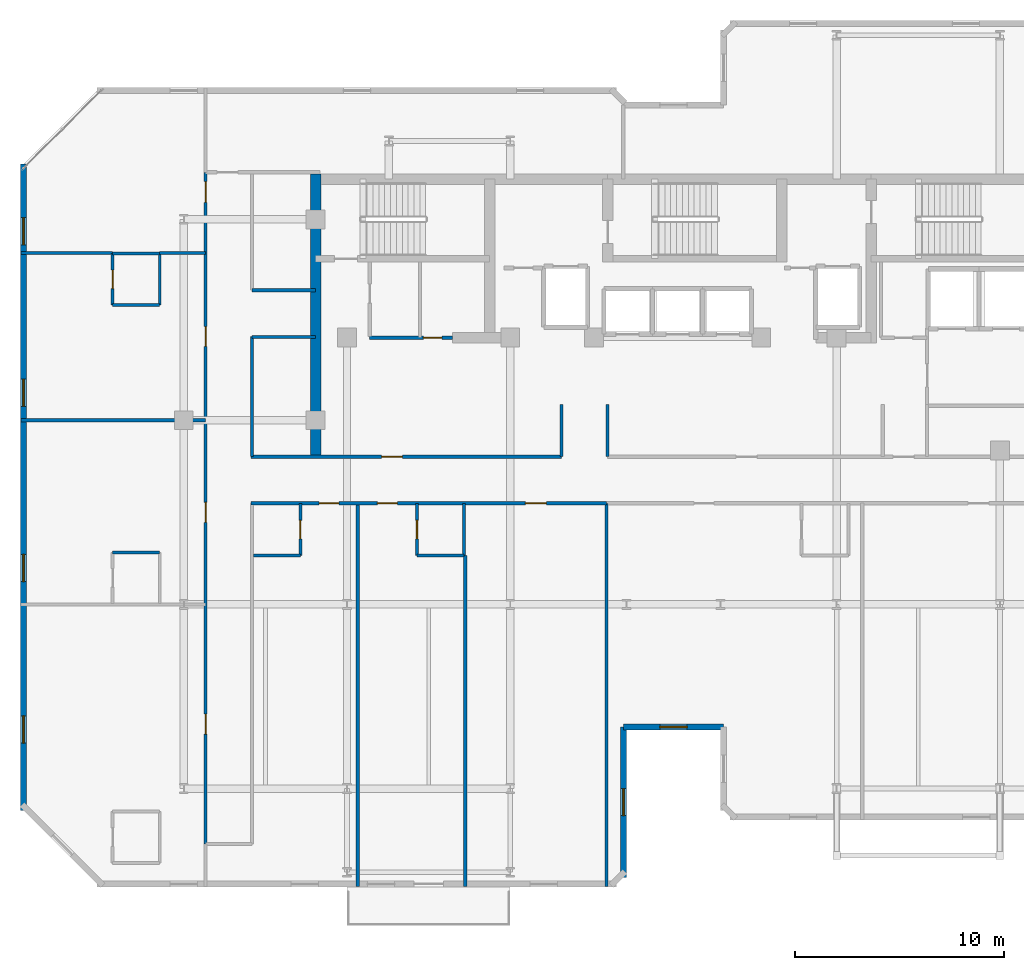
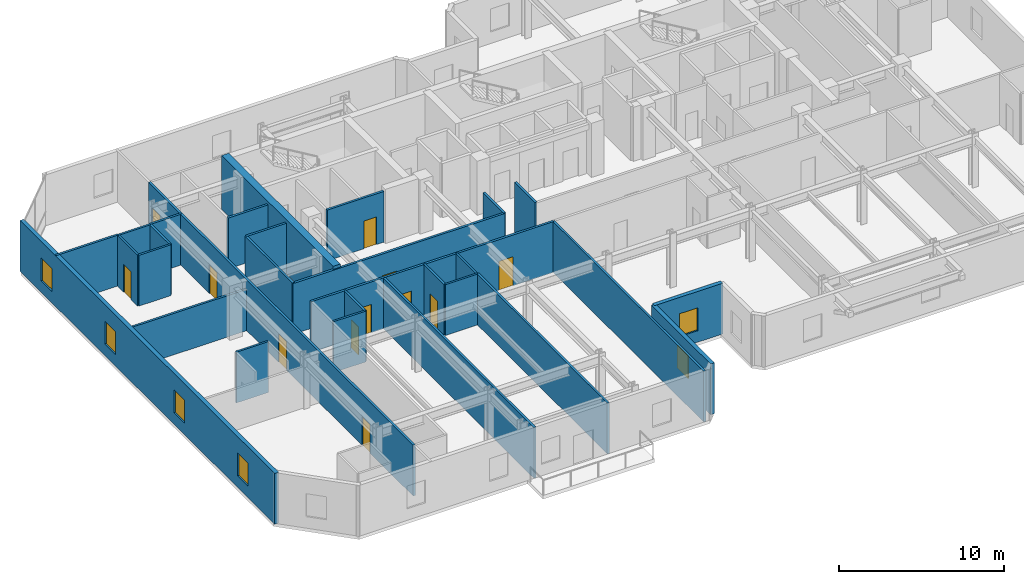
# One storey, part 4 of 10: 29 walls, 12 doors, 6 windows, 18 openings.
"""IFC4 building model written with IfcOpenShell, lengths in metres."""

from ifc_helpers import new_model, si_unit, direction, frame, frame_2d, origin, place, context, subcontext, project, spatial, rectangle, extrude, material, layer, layer_set, type_object, element, fill, save


model = new_model("IFC4")

# Units and contexts
model_context = context("Model", 3, precision=1e-05, world=origin(), true_north=direction((0.0, 1.0)))
body_context = subcontext(model_context, "Body", "Model", "MODEL_VIEW")
ifc_project = project(units=[si_unit("LENGTHUNIT", "METRE"), si_unit("AREAUNIT", "SQUARE_METRE"), si_unit("VOLUMEUNIT", "CUBIC_METRE"), si_unit("PLANEANGLEUNIT", "RADIAN"), si_unit("MASSUNIT", "GRAM", prefix="KILO")], contexts=[model_context])

# Site, building, storey
site_placement = place(None, origin())
site = spatial("IfcSite", under=ifc_project, at=site_placement, CompositionType="ELEMENT")
building_placement = place(site_placement, origin())
building = spatial("IfcBuilding", under=site, at=building_placement, Name="Kestravale Grand Hotel", CompositionType="ELEMENT")
storey_placement = place(building_placement, frame((0.0, 0.0, 281.39990234375)))
storey = spatial("IfcBuildingStorey", under=building, at=storey_placement, Name="L70", CompositionType="ELEMENT", Elevation=281.39990234375)

# Wall
ifc_material_1 = material(Name="Concrete f'c 50 MPa", Category="concrete")
ifc_layer_1 = layer(ifc_material_1, 0.5)
ifc_layer_set_1 = layer_set([ifc_layer_1], Name="EW-CORE-500")
wall_type_1 = type_object("IfcWallType", Name="EW-CORE-500", PredefinedType="SHEAR", material=ifc_layer_set_1)
wall_1_placement = place(storey_placement, frame((21.89990234375, 27.050048828125, 0.0), z_axis=(0.0, 0.0, 1.0), x_axis=(0.0, 1.0, 0.0)))
element("IfcWall", 1, at=wall_1_placement, inside=storey, type_object=wall_type_1, Name="L70 core shear wall W1", PredefinedType="SHEAR", context=body_context, shape_type="SweptSolid", body=[
    extrude(rectangle(XDim=13.52001953125, YDim=0.5, at=frame_2d((6.760009765625, 0.0))), origin(), (0.0, 0.0, 1.0), 4.0),
])

# Wall, opening, window
ifc_material_2 = material(Name="Precast concrete f'c 45 MPa", Category="concrete")
ifc_layer_2 = layer(ifc_material_2, 0.280029296875)
ifc_layer_set_2 = layer_set([ifc_layer_2], Name="EW-PREC-280")
wall_type_2 = type_object("IfcWallType", Name="EW-PREC-280", PredefinedType="SOLIDWALL", material=ifc_layer_set_2)
wall_2_placement = place(storey_placement, frame((36.610107421875, 6.9599609375, 0.0), z_axis=(0.0, 0.0, 1.0), x_axis=(0.0, 1.0, 0.0)))
wall_2 = element("IfcWall", 2, at=wall_2_placement, inside=storey, type_object=wall_type_2, Name="L70 fluted precast facade wall 3", PredefinedType="SOLIDWALL", context=body_context, shape_type="SweptSolid", body=[
    extrude(rectangle(XDim=7.179931640625, YDim=0.280029296875, at=frame_2d((3.58984375, 0.0))), origin(), (0.0, 0.0, 1.0), 3.760009765625),
])
opening_1_placement = place(wall_2_placement, frame((2.93994140625, 0.0, 0.85009765625)))
opening_1 = element("IfcOpeningElement", 3, at=opening_1_placement, cuts=wall_2, Name="Opening W-GUEST-1300", PredefinedType="OPENING", context=body_context, shape_type="SweptSolid", body=[
    extrude(rectangle(XDim=1.300048828125, YDim=1.699951171875, at=frame_2d((0.64990234375, 0.85009765625))), frame((0.0, 0.14990234375, 0.0), z_axis=(0.0, -1.0, 0.0), x_axis=(1.0, 0.0, 0.0)), (0.0, 0.0, 1.0), 0.300048828125),
])
ifc_material_3 = material(Name="Insulated low-E double glazing in aluminium frame", Category="aluminium")
window_type = type_object("IfcWindowType", Name="W-GUEST-1300", PartitioningType="SINGLE_PANEL", PredefinedType="WINDOW", material=ifc_material_3)
window_1_placement = place(opening_1_placement, origin())
window_1 = element("IfcWindow", 4, at=window_1_placement, inside=storey, type_object=window_type, Name="L70 exterior window 3.1", OverallHeight=1.699951171875, OverallWidth=1.300048828125, PartitioningType="SINGLE_PANEL", PredefinedType="WINDOW", context=body_context, shape_type="SweptSolid", body=[
    extrude(rectangle(XDim=1.300048828125, YDim=1.699951171875, at=frame_2d((0.64990234375, 0.85009765625))), frame((0.0, 0.030029296875, 0.0), z_axis=(0.0, -1.0, 0.0), x_axis=(1.0, 0.0, 0.0)), (0.0, 0.0, 1.0), 0.06005859375),
])
fill(opening_1, window_1)

wall_3_placement = place(storey_placement, frame((36.610107421875, 14.139892578125, 0.0), z_axis=(0.0, 0.0, 1.0), x_axis=(1.0, 0.0, 0.0)))
wall_3 = element("IfcWall", 5, at=wall_3_placement, inside=storey, type_object=wall_type_2, Name="L70 fluted precast facade wall 4", PredefinedType="SOLIDWALL", context=body_context, shape_type="SweptSolid", body=[
    extrude(rectangle(XDim=4.77978515625, YDim=0.280029296875, at=frame_2d((2.389892578125, 0.0))), origin(), (0.0, 0.0, 1.0), 3.760009765625),
])
opening_2_placement = place(wall_3_placement, frame((1.739990234375, 0.0, 0.85009765625)))
opening_2 = element("IfcOpeningElement", 6, at=opening_2_placement, cuts=wall_3, Name="Opening W-GUEST-1300", PredefinedType="OPENING", context=body_context, shape_type="SweptSolid", body=[
    extrude(rectangle(XDim=1.300048828125, YDim=1.699951171875, at=frame_2d((0.64990234375, 0.85009765625))), frame((0.0, 0.14990234375, 0.0), z_axis=(0.0, -1.0, 0.0), x_axis=(1.0, 0.0, 0.0)), (0.0, 0.0, 1.0), 0.300048828125),
])
window_2_placement = place(opening_2_placement, origin())
window_2 = element("IfcWindow", 7, at=window_2_placement, inside=storey, type_object=window_type, Name="L70 exterior window 4.1", OverallHeight=1.699951171875, OverallWidth=1.300048828125, PartitioningType="SINGLE_PANEL", PredefinedType="WINDOW", context=body_context, shape_type="SweptSolid", body=[
    extrude(rectangle(XDim=1.300048828125, YDim=1.699951171875, at=frame_2d((0.64990234375, 0.85009765625))), frame((0.0, 0.030029296875, 0.0), z_axis=(0.0, -1.0, 0.0), x_axis=(1.0, 0.0, 0.0)), (0.0, 0.0, 1.0), 0.06005859375),
])
fill(opening_2, window_2)

# Wall, openings, windows
wall_4_placement = place(storey_placement, frame((7.93994140625, 41.0400390625, 0.0), z_axis=(0.0, 0.0, 1.0), x_axis=(0.0, -1.0, 0.0)))
wall_4 = element("IfcWall", 8, at=wall_4_placement, inside=storey, type_object=wall_type_2, Name="L70 fluted precast facade wall 19", PredefinedType="SOLIDWALL", context=body_context, shape_type="SweptSolid", body=[
    extrude(rectangle(XDim=30.880126953125, YDim=0.280029296875, at=frame_2d((15.43994140625, 0.0))), origin(), (0.0, 0.0, 1.0), 3.760009765625),
])
opening_3_placement = place(wall_4_placement, frame((2.56005859375, 0.0, 0.85009765625)))
opening_3 = element("IfcOpeningElement", 9, at=opening_3_placement, cuts=wall_4, Name="Opening W-GUEST-1300", PredefinedType="OPENING", context=body_context, shape_type="SweptSolid", body=[
    extrude(rectangle(XDim=1.300048828125, YDim=1.699951171875, at=frame_2d((0.64990234375, 0.85009765625))), frame((0.0, 0.14990234375, 0.0), z_axis=(0.0, -1.0, 0.0), x_axis=(1.0, 0.0, 0.0)), (0.0, 0.0, 1.0), 0.300048828125),
])
opening_4_placement = place(wall_4_placement, frame((10.280029296875, 0.0, 0.85009765625)))
opening_4 = element("IfcOpeningElement", 10, at=opening_4_placement, cuts=wall_4, Name="Opening W-GUEST-1300", PredefinedType="OPENING", context=body_context, shape_type="SweptSolid", body=[
    extrude(rectangle(XDim=1.300048828125, YDim=1.699951171875, at=frame_2d((0.64990234375, 0.85009765625))), frame((0.0, 0.14990234375, 0.0), z_axis=(0.0, -1.0, 0.0), x_axis=(1.0, 0.0, 0.0)), (0.0, 0.0, 1.0), 0.300048828125),
])
opening_5_placement = place(wall_4_placement, frame((18.64990234375, 0.0, 0.85009765625)))
opening_5 = element("IfcOpeningElement", 11, at=opening_5_placement, cuts=wall_4, Name="Opening W-GUEST-1300", PredefinedType="OPENING", context=body_context, shape_type="SweptSolid", body=[
    extrude(rectangle(XDim=1.300048828125, YDim=1.699951171875, at=frame_2d((0.64990234375, 0.85009765625))), frame((0.0, 0.14990234375, 0.0), z_axis=(0.0, -1.0, 0.0), x_axis=(1.0, 0.0, 0.0)), (0.0, 0.0, 1.0), 0.300048828125),
])
opening_6_placement = place(wall_4_placement, frame((26.3701171875, 0.0, 0.85009765625)))
opening_6 = element("IfcOpeningElement", 12, at=opening_6_placement, cuts=wall_4, Name="Opening W-GUEST-1300", PredefinedType="OPENING", context=body_context, shape_type="SweptSolid", body=[
    extrude(rectangle(XDim=1.300048828125, YDim=1.699951171875, at=frame_2d((0.64990234375, 0.85009765625))), frame((0.0, 0.14990234375, 0.0), z_axis=(0.0, -1.0, 0.0), x_axis=(1.0, 0.0, 0.0)), (0.0, 0.0, 1.0), 0.300048828125),
])
window_3_placement = place(opening_3_placement, origin())
window_3 = element("IfcWindow", 13, at=window_3_placement, inside=storey, type_object=window_type, Name="L70 exterior window 19.1", OverallHeight=1.699951171875, OverallWidth=1.300048828125, PartitioningType="SINGLE_PANEL", PredefinedType="WINDOW", context=body_context, shape_type="SweptSolid", body=[
    extrude(rectangle(XDim=1.300048828125, YDim=1.699951171875, at=frame_2d((0.64990234375, 0.85009765625))), frame((0.0, 0.030029296875, 0.0), z_axis=(0.0, -1.0, 0.0), x_axis=(1.0, 0.0, 0.0)), (0.0, 0.0, 1.0), 0.06005859375),
])
fill(opening_3, window_3)
window_4_placement = place(opening_4_placement, origin())
window_4 = element("IfcWindow", 14, at=window_4_placement, inside=storey, type_object=window_type, Name="L70 exterior window 19.2", OverallHeight=1.699951171875, OverallWidth=1.300048828125, PartitioningType="SINGLE_PANEL", PredefinedType="WINDOW", context=body_context, shape_type="SweptSolid", body=[
    extrude(rectangle(XDim=1.300048828125, YDim=1.699951171875, at=frame_2d((0.64990234375, 0.85009765625))), frame((0.0, 0.030029296875, 0.0), z_axis=(0.0, -1.0, 0.0), x_axis=(1.0, 0.0, 0.0)), (0.0, 0.0, 1.0), 0.06005859375),
])
fill(opening_4, window_4)
window_5_placement = place(opening_5_placement, origin())
window_5 = element("IfcWindow", 15, at=window_5_placement, inside=storey, type_object=window_type, Name="L70 exterior window 19.3", OverallHeight=1.699951171875, OverallWidth=1.300048828125, PartitioningType="SINGLE_PANEL", PredefinedType="WINDOW", context=body_context, shape_type="SweptSolid", body=[
    extrude(rectangle(XDim=1.300048828125, YDim=1.699951171875, at=frame_2d((0.64990234375, 0.85009765625))), frame((0.0, 0.030029296875, 0.0), z_axis=(0.0, -1.0, 0.0), x_axis=(1.0, 0.0, 0.0)), (0.0, 0.0, 1.0), 0.06005859375),
])
fill(opening_5, window_5)
window_6_placement = place(opening_6_placement, origin())
window_6 = element("IfcWindow", 16, at=window_6_placement, inside=storey, type_object=window_type, Name="L70 exterior window 19.4", OverallHeight=1.699951171875, OverallWidth=1.300048828125, PartitioningType="SINGLE_PANEL", PredefinedType="WINDOW", context=body_context, shape_type="SweptSolid", body=[
    extrude(rectangle(XDim=1.300048828125, YDim=1.699951171875, at=frame_2d((0.64990234375, 0.85009765625))), frame((0.0, 0.030029296875, 0.0), z_axis=(0.0, -1.0, 0.0), x_axis=(1.0, 0.0, 0.0)), (0.0, 0.0, 1.0), 0.06005859375),
])
fill(opening_6, window_6)

# Wall, opening, door
ifc_material_4 = material(Name="Acoustic fire-rated gypsum board partition", Category="other")
ifc_layer_3 = layer(ifc_material_4, 0.159912109375)
ifc_layer_set_3 = layer_set([ifc_layer_3], Name="IW-CORR-160")
wall_type_3 = type_object("IfcWallType", Name="IW-CORR-160", PredefinedType="PARTITIONING", material=ifc_layer_set_3)
wall_5_placement = place(storey_placement, frame((24.47998046875, 32.75, 0.0), z_axis=(0.0, 0.0, 1.0), x_axis=(1.0, 0.0, 0.0)))
wall_5 = element("IfcWall", 17, at=wall_5_placement, inside=storey, type_object=wall_type_3, Name="W-L70-CWS", PredefinedType="PARTITIONING", context=body_context, shape_type="SweptSolid", body=[
    extrude(rectangle(XDim=3.969970703125, YDim=0.159912109375, at=frame_2d((1.98486328125, 0.0))), origin(), (0.0, 0.0, 1.0), 3.760009765625),
])
opening_7_placement = place(wall_5_placement, frame((2.574951171875, 0.0, 0.0)))
opening_7 = element("IfcOpeningElement", 18, at=opening_7_placement, cuts=wall_5, Name="Opening D-BATH-880", PredefinedType="OPENING", context=body_context, shape_type="SweptSolid", body=[
    extrude(rectangle(XDim=0.8798828125, YDim=2.050048828125, at=frame_2d((0.43994140625, 1.02490234375))), frame((0.0, 0.08984375, 0.0), z_axis=(0.0, -1.0, 0.0), x_axis=(1.0, 0.0, 0.0)), (0.0, 0.0, 1.0), 0.179931640625),
])
ifc_material_5 = material(Name="Moisture-sealed walnut en-suite bathroom door", Category="wood")
door_type_1 = type_object("IfcDoorType", Name="D-BATH-880", OperationType="NOTDEFINED", PredefinedType="DOOR", material=ifc_material_5)
door_1_placement = place(opening_7_placement, origin())
door_1 = element("IfcDoor", 19, at=door_1_placement, inside=storey, type_object=door_type_1, Name="D-L70-SWC", OperationType="SINGLE_SWING_RIGHT", OverallHeight=2.050048828125, OverallWidth=0.8798828125, PredefinedType="DOOR", context=body_context, shape_type="SweptSolid", body=[
    extrude(rectangle(XDim=0.8798828125, YDim=2.050048828125, at=frame_2d((0.43994140625, 1.02490234375))), frame((0.0, 0.02490234375, 0.0), z_axis=(0.0, -1.0, 0.0), x_axis=(1.0, 0.0, 0.0)), (0.0, 0.0, 1.0), 0.050048828125),
])
fill(opening_7, door_1)

wall_6_placement = place(storey_placement, frame((18.800048828125, 27.06005859375, 0.0), z_axis=(0.0, 0.0, 1.0), x_axis=(1.0, 0.0, 0.0)))
wall_6 = element("IfcWall", 20, at=wall_6_placement, inside=storey, type_object=wall_type_3, Name="W-L70-CW-N", PredefinedType="PARTITIONING", context=body_context, shape_type="SweptSolid", body=[
    extrude(rectangle(XDim=14.849853515625, YDim=0.159912109375, at=frame_2d((7.4248046875, 0.0))), origin(), (0.0, 0.0, 1.0), 3.760009765625),
])
opening_8_placement = place(wall_6_placement, frame((6.25, 0.0, 0.0)))
opening_8 = element("IfcOpeningElement", 21, at=opening_8_placement, cuts=wall_6, Name="Opening D-GUEST-1000", PredefinedType="OPENING", context=body_context, shape_type="SweptSolid", body=[
    extrude(rectangle(XDim=1.0, YDim=2.14990234375, at=frame_2d((0.5, 1.074951171875))), frame((0.0, 0.08984375, 0.0), z_axis=(0.0, -1.0, 0.0), x_axis=(1.0, 0.0, 0.0)), (0.0, 0.0, 1.0), 0.179931640625),
])
ifc_material_6 = material(Name="Accessible walnut veneer hotel entrance fire door", Category="wood")
door_type_2 = type_object("IfcDoorType", Name="D-GUEST-1000", OperationType="NOTDEFINED", PredefinedType="DOOR", material=ifc_material_6)
door_2_placement = place(opening_8_placement, origin())
door_2 = element("IfcDoor", 22, at=door_2_placement, inside=storey, type_object=door_type_2, Name="D-L70-RECL-W", OperationType="SINGLE_SWING_LEFT", OverallHeight=2.14990234375, OverallWidth=1.0, PredefinedType="DOOR", context=body_context, shape_type="SweptSolid", body=[
    extrude(rectangle(XDim=1.0, YDim=2.14990234375, at=frame_2d((0.5, 1.074951171875))), frame((0.0, 0.02490234375, 0.0), z_axis=(0.0, -1.0, 0.0), x_axis=(1.0, 0.0, 0.0)), (0.0, 0.0, 1.0), 0.050048828125),
])
fill(opening_8, door_2)

# Walls
for number, where, z_axis, x_axis, name in (
    (23, (33.64990234375, 27.06005859375, 0.0), (0.0, 0.0, 1.0), (0.0, 1.0, 0.0), "W-L70-TRUNK-W"),
    (24, (35.85009765625, 27.06005859375, 0.0), (0.0, 0.0, 1.0), (0.0, 1.0, 0.0), "W-L70-TRUNK-E"),
):
    element("IfcWall", number, at=place(storey_placement, frame(where, z_axis=z_axis, x_axis=x_axis)), inside=storey, type_object=wall_type_3, Name=name, PredefinedType="PARTITIONING", context=body_context, shape_type="SweptSolid", body=[
        extrude(rectangle(XDim=2.489990234375, YDim=0.159912109375, at=frame_2d((1.2451171875, 0.0))), origin(), (0.0, 0.0, 1.0), 3.760009765625),
    ])

# Wall, openings, doors
wall_7_placement = place(storey_placement, frame((18.800048828125, 24.840087890625, 0.0), z_axis=(0.0, 0.0, 1.0), x_axis=(1.0, 0.0, 0.0)))
wall_7 = element("IfcWall", 25, at=wall_7_placement, inside=storey, type_object=wall_type_3, Name="W-L70-CW-S", PredefinedType="PARTITIONING", context=body_context, shape_type="SweptSolid", body=[
    extrude(rectangle(XDim=17.0, YDim=0.159912109375, at=frame_2d((8.5, 0.0))), origin(), (0.0, 0.0, 1.0), 3.760009765625),
])
opening_9_placement = place(wall_7_placement, frame((3.264892578125, 0.0, 0.0)))
opening_9 = element("IfcOpeningElement", 26, at=opening_9_placement, cuts=wall_7, Name="Opening D-GUEST-950", PredefinedType="OPENING", context=body_context, shape_type="SweptSolid", body=[
    extrude(rectangle(XDim=0.949951171875, YDim=2.10009765625, at=frame_2d((0.47509765625, 1.050048828125))), frame((0.0, 0.08984375, 0.0), z_axis=(0.0, -1.0, 0.0), x_axis=(1.0, 0.0, 0.0)), (0.0, 0.0, 1.0), 0.179931640625),
])
opening_10_placement = place(wall_7_placement, frame((6.0517578125, 0.0, 0.0)))
opening_10 = element("IfcOpeningElement", 27, at=opening_10_placement, cuts=wall_7, Name="Opening D-GUEST-950", PredefinedType="OPENING", context=body_context, shape_type="SweptSolid", body=[
    extrude(rectangle(XDim=0.949951171875, YDim=2.10009765625, at=frame_2d((0.47509765625, 1.050048828125))), frame((0.0, 0.08984375, 0.0), z_axis=(0.0, -1.0, 0.0), x_axis=(1.0, 0.0, 0.0)), (0.0, 0.0, 1.0), 0.179931640625),
])
opening_11_placement = place(wall_7_placement, frame((13.126708984375, 0.0, 0.0)))
opening_11 = element("IfcOpeningElement", 28, at=opening_11_placement, cuts=wall_7, Name="Opening D-GUEST-1000", PredefinedType="OPENING", context=body_context, shape_type="SweptSolid", body=[
    extrude(rectangle(XDim=1.0, YDim=2.14990234375, at=frame_2d((0.5, 1.074951171875))), frame((0.0, 0.08984375, 0.0), z_axis=(0.0, -1.0, 0.0), x_axis=(1.0, 0.0, 0.0)), (0.0, 0.0, 1.0), 0.179931640625),
])
door_3_placement = place(opening_11_placement, origin())
door_3 = element("IfcDoor", 29, at=door_3_placement, inside=storey, type_object=door_type_2, Name="D-L70-AMW", OperationType="SINGLE_SWING_RIGHT", OverallHeight=2.14990234375, OverallWidth=1.0, PredefinedType="DOOR", context=body_context, shape_type="SweptSolid", body=[
    extrude(rectangle(XDim=1.0, YDim=2.14990234375, at=frame_2d((0.5, 1.074951171875))), frame((0.0, 0.02490234375, 0.0), z_axis=(0.0, -1.0, 0.0), x_axis=(1.0, 0.0, 0.0)), (0.0, 0.0, 1.0), 0.050048828125),
])
fill(opening_11, door_3)
ifc_material_7 = material(Name="Walnut veneer hotel guestroom entrance fire door", Category="wood")
door_type_3 = type_object("IfcDoorType", Name="D-GUEST-950", OperationType="NOTDEFINED", PredefinedType="DOOR", material=ifc_material_7)
door_4_placement = place(opening_9_placement, origin())
door_4 = element("IfcDoor", 30, at=door_4_placement, inside=storey, type_object=door_type_3, Name="D-L70-U01-ENT", OperationType="SINGLE_SWING_LEFT", OverallHeight=2.10009765625, OverallWidth=0.949951171875, PredefinedType="DOOR", context=body_context, shape_type="SweptSolid", body=[
    extrude(rectangle(XDim=0.949951171875, YDim=2.10009765625, at=frame_2d((0.47509765625, 1.050048828125))), frame((0.0, 0.02490234375, 0.0), z_axis=(0.0, -1.0, 0.0), x_axis=(1.0, 0.0, 0.0)), (0.0, 0.0, 1.0), 0.050048828125),
])
fill(opening_9, door_4)
door_5_placement = place(opening_10_placement, origin())
door_5 = element("IfcDoor", 31, at=door_5_placement, inside=storey, type_object=door_type_3, Name="D-L70-U02-ENT", OperationType="SINGLE_SWING_LEFT", OverallHeight=2.10009765625, OverallWidth=0.949951171875, PredefinedType="DOOR", context=body_context, shape_type="SweptSolid", body=[
    extrude(rectangle(XDim=0.949951171875, YDim=2.10009765625, at=frame_2d((0.47509765625, 1.050048828125))), frame((0.0, 0.02490234375, 0.0), z_axis=(0.0, -1.0, 0.0), x_axis=(1.0, 0.0, 0.0)), (0.0, 0.0, 1.0), 0.050048828125),
])
fill(opening_10, door_5)

wall_8_placement = place(storey_placement, frame((16.639892578125, 8.550048828125, 0.0), z_axis=(0.0, 0.0, 1.0), x_axis=(0.0, 1.0, 0.0)))
wall_8 = element("IfcWall", 32, at=wall_8_placement, inside=storey, type_object=wall_type_3, Name="W-L70-SW-W", PredefinedType="PARTITIONING", context=body_context, shape_type="SweptSolid", body=[
    extrude(rectangle(XDim=32.099853515625, YDim=0.159912109375, at=frame_2d((16.0498046875, 0.0))), origin(), (0.0, 0.0, 1.0), 3.760009765625),
])
opening_12_placement = place(wall_8_placement, frame((5.25, 0.0, 0.0)))
opening_12 = element("IfcOpeningElement", 33, at=opening_12_placement, cuts=wall_8, Name="Opening D-GUEST-950", PredefinedType="OPENING", context=body_context, shape_type="SweptSolid", body=[
    extrude(rectangle(XDim=0.949951171875, YDim=2.10009765625, at=frame_2d((0.47509765625, 1.050048828125))), frame((0.0, 0.08984375, 0.0), z_axis=(0.0, -1.0, 0.0), x_axis=(1.0, 0.0, 0.0)), (0.0, 0.0, 1.0), 0.179931640625),
])
opening_13_placement = place(wall_8_placement, frame((15.375, 0.0, 0.0)))
opening_13 = element("IfcOpeningElement", 34, at=opening_13_placement, cuts=wall_8, Name="Opening D-GUEST-950", PredefinedType="OPENING", context=body_context, shape_type="SweptSolid", body=[
    extrude(rectangle(XDim=0.949951171875, YDim=2.10009765625, at=frame_2d((0.47509765625, 1.050048828125))), frame((0.0, 0.08984375, 0.0), z_axis=(0.0, -1.0, 0.0), x_axis=(1.0, 0.0, 0.0)), (0.0, 0.0, 1.0), 0.179931640625),
])
opening_14_placement = place(wall_8_placement, frame((23.77490234375, 0.0, 0.0)))
opening_14 = element("IfcOpeningElement", 35, at=opening_14_placement, cuts=wall_8, Name="Opening D-GUEST-950", PredefinedType="OPENING", context=body_context, shape_type="SweptSolid", body=[
    extrude(rectangle(XDim=0.949951171875, YDim=2.10009765625, at=frame_2d((0.47509765625, 1.050048828125))), frame((0.0, 0.08984375, 0.0), z_axis=(0.0, -1.0, 0.0), x_axis=(1.0, 0.0, 0.0)), (0.0, 0.0, 1.0), 0.179931640625),
])
opening_15_placement = place(wall_8_placement, frame((30.659912109375, 0.0, 0.0)))
opening_15 = element("IfcOpeningElement", 36, at=opening_15_placement, cuts=wall_8, Name="Opening D-GUEST-1000", PredefinedType="OPENING", context=body_context, shape_type="SweptSolid", body=[
    extrude(rectangle(XDim=1.0, YDim=2.14990234375, at=frame_2d((0.5, 1.074951171875))), frame((0.0, 0.08984375, 0.0), z_axis=(0.0, -1.0, 0.0), x_axis=(1.0, 0.0, 0.0)), (0.0, 0.0, 1.0), 0.179931640625),
])
door_6_placement = place(opening_15_placement, origin())
door_6 = element("IfcDoor", 37, at=door_6_placement, inside=storey, type_object=door_type_2, Name="D-L70-AMWW", OperationType="SINGLE_SWING_RIGHT", OverallHeight=2.14990234375, OverallWidth=1.0, PredefinedType="DOOR", context=body_context, shape_type="SweptSolid", body=[
    extrude(rectangle(XDim=1.0, YDim=2.14990234375, at=frame_2d((0.5, 1.074951171875))), frame((0.0, 0.02490234375, 0.0), z_axis=(0.0, -1.0, 0.0), x_axis=(1.0, 0.0, 0.0)), (0.0, 0.0, 1.0), 0.050048828125),
])
fill(opening_15, door_6)
door_7_placement = place(opening_12_placement, origin())
door_7 = element("IfcDoor", 38, at=door_7_placement, inside=storey, type_object=door_type_3, Name="D-L70-U04-ENT", OperationType="SINGLE_SWING_LEFT", OverallHeight=2.10009765625, OverallWidth=0.949951171875, PredefinedType="DOOR", context=body_context, shape_type="SweptSolid", body=[
    extrude(rectangle(XDim=0.949951171875, YDim=2.10009765625, at=frame_2d((0.47509765625, 1.050048828125))), frame((0.0, 0.02490234375, 0.0), z_axis=(0.0, -1.0, 0.0), x_axis=(1.0, 0.0, 0.0)), (0.0, 0.0, 1.0), 0.050048828125),
])
fill(opening_12, door_7)
door_8_placement = place(opening_13_placement, origin())
door_8 = element("IfcDoor", 39, at=door_8_placement, inside=storey, type_object=door_type_3, Name="D-L70-U05-ENT", OperationType="SINGLE_SWING_LEFT", OverallHeight=2.10009765625, OverallWidth=0.949951171875, PredefinedType="DOOR", context=body_context, shape_type="SweptSolid", body=[
    extrude(rectangle(XDim=0.949951171875, YDim=2.10009765625, at=frame_2d((0.47509765625, 1.050048828125))), frame((0.0, 0.02490234375, 0.0), z_axis=(0.0, -1.0, 0.0), x_axis=(1.0, 0.0, 0.0)), (0.0, 0.0, 1.0), 0.050048828125),
])
fill(opening_13, door_8)
door_9_placement = place(opening_14_placement, origin())
door_9 = element("IfcDoor", 40, at=door_9_placement, inside=storey, type_object=door_type_3, Name="D-L70-U06-ENT", OperationType="SINGLE_SWING_LEFT", OverallHeight=2.10009765625, OverallWidth=0.949951171875, PredefinedType="DOOR", context=body_context, shape_type="SweptSolid", body=[
    extrude(rectangle(XDim=0.949951171875, YDim=2.10009765625, at=frame_2d((0.47509765625, 1.050048828125))), frame((0.0, 0.02490234375, 0.0), z_axis=(0.0, -1.0, 0.0), x_axis=(1.0, 0.0, 0.0)), (0.0, 0.0, 1.0), 0.050048828125),
])
fill(opening_14, door_9)

# Walls
for number, where, z_axis, x_axis, name in (
    (41, (18.860107421875, 35.02001953125, 0.0), (0.0, 0.0, 1.0), (1.0, 0.0, 0.0), "W-L70-SW-CN"),
    (42, (18.860107421875, 32.780029296875, 0.0), (0.0, 0.0, 1.0), (1.0, 0.0, 0.0), "W-L70-SW-CS"),
):
    element("IfcWall", number, at=place(storey_placement, frame(where, z_axis=z_axis, x_axis=x_axis)), inside=storey, type_object=wall_type_3, Name=name, PredefinedType="PARTITIONING", context=body_context, shape_type="SweptSolid", body=[
        extrude(rectangle(XDim=3.039794921875, YDim=0.159912109375, at=frame_2d((1.52001953125, 0.0))), origin(), (0.0, 0.0, 1.0), 3.760009765625),
    ])

# Wall, opening, door
ifc_material_8 = material(Name="Moisture-resistant tile-backer plumbing chase wall", Category="other")
ifc_layer_4 = layer(ifc_material_8, 0.139892578125)
ifc_layer_set_4 = layer_set([ifc_layer_4], Name="IW-PLB-140")
wall_type_4 = type_object("IfcWallType", Name="IW-PLB-140", PredefinedType="PLUMBINGWALL", material=ifc_layer_set_4)
wall_9_placement = place(storey_placement, frame((21.169921875, 22.330078125, 0.0), z_axis=(0.0, 0.0, 1.0), x_axis=(0.0, 1.0, 0.0)))
wall_9 = element("IfcWall", 43, at=wall_9_placement, inside=storey, type_object=wall_type_4, Name="W-L70-U01-BE", PredefinedType="PLUMBINGWALL", context=body_context, shape_type="SweptSolid", body=[
    extrude(rectangle(XDim=2.489990234375, YDim=0.139892578125, at=frame_2d((1.2451171875, 0.0))), origin(), (0.0, 0.0, 1.0), 3.760009765625),
])
opening_16_placement = place(wall_9_placement, frame((0.804931640625, 0.0, 0.0)))
opening_16 = element("IfcOpeningElement", 44, at=opening_16_placement, cuts=wall_9, Name="Opening D-BATH-880", PredefinedType="OPENING", context=body_context, shape_type="SweptSolid", body=[
    extrude(rectangle(XDim=0.8798828125, YDim=2.050048828125, at=frame_2d((0.43994140625, 1.02490234375))), frame((0.0, 0.079833984375, 0.0), z_axis=(0.0, -1.0, 0.0), x_axis=(1.0, 0.0, 0.0)), (0.0, 0.0, 1.0), 0.159912109375),
])
door_10_placement = place(opening_16_placement, origin())
door_10 = element("IfcDoor", 45, at=door_10_placement, inside=storey, type_object=door_type_1, Name="D-L70-U01-BATH", OperationType="SINGLE_SWING_RIGHT", OverallHeight=2.050048828125, OverallWidth=0.8798828125, PredefinedType="DOOR", context=body_context, shape_type="SweptSolid", body=[
    extrude(rectangle(XDim=0.8798828125, YDim=2.050048828125, at=frame_2d((0.43994140625, 1.02490234375))), frame((0.0, 0.02490234375, 0.0), z_axis=(0.0, -1.0, 0.0), x_axis=(1.0, 0.0, 0.0)), (0.0, 0.0, 1.0), 0.050048828125),
])
fill(opening_16, door_10)

# Wall
wall_10_placement = place(storey_placement, frame((18.919921875, 22.330078125, 0.0), z_axis=(0.0, 0.0, 1.0), x_axis=(1.0, 0.0, 0.0)))
element("IfcWall", 46, at=wall_10_placement, inside=storey, type_object=wall_type_4, Name="W-L70-U01-BS", PredefinedType="PLUMBINGWALL", context=body_context, shape_type="SweptSolid", body=[
    extrude(rectangle(XDim=2.25, YDim=0.139892578125, at=frame_2d((1.125, 0.0))), origin(), (0.0, 0.0, 1.0), 3.760009765625),
])

# Wall, opening, door
wall_11_placement = place(storey_placement, frame((26.743408203125, 22.330078125, 0.0), z_axis=(0.0, 0.0, 1.0), x_axis=(0.0, 1.0, 0.0)))
wall_11 = element("IfcWall", 47, at=wall_11_placement, inside=storey, type_object=wall_type_4, Name="W-L70-U02-BW", PredefinedType="PLUMBINGWALL", context=body_context, shape_type="SweptSolid", body=[
    extrude(rectangle(XDim=2.489990234375, YDim=0.139892578125, at=frame_2d((1.2451171875, 0.0))), origin(), (0.0, 0.0, 1.0), 3.760009765625),
])
opening_17_placement = place(wall_11_placement, frame((0.804931640625, 0.0, 0.0)))
opening_17 = element("IfcOpeningElement", 48, at=opening_17_placement, cuts=wall_11, Name="Opening D-BATH-880", PredefinedType="OPENING", context=body_context, shape_type="SweptSolid", body=[
    extrude(rectangle(XDim=0.8798828125, YDim=2.050048828125, at=frame_2d((0.43994140625, 1.02490234375))), frame((0.0, 0.079833984375, 0.0), z_axis=(0.0, -1.0, 0.0), x_axis=(1.0, 0.0, 0.0)), (0.0, 0.0, 1.0), 0.159912109375),
])
door_11_placement = place(opening_17_placement, origin())
door_11 = element("IfcDoor", 49, at=door_11_placement, inside=storey, type_object=door_type_1, Name="D-L70-U02-BATH", OperationType="SINGLE_SWING_RIGHT", OverallHeight=2.050048828125, OverallWidth=0.8798828125, PredefinedType="DOOR", context=body_context, shape_type="SweptSolid", body=[
    extrude(rectangle(XDim=0.8798828125, YDim=2.050048828125, at=frame_2d((0.43994140625, 1.02490234375))), frame((0.0, 0.02490234375, 0.0), z_axis=(0.0, -1.0, 0.0), x_axis=(1.0, 0.0, 0.0)), (0.0, 0.0, 1.0), 0.050048828125),
])
fill(opening_17, door_11)

# Walls
wall_12_placement = place(storey_placement, frame((28.993408203125, 22.330078125, 0.0), z_axis=(0.0, 0.0, 1.0), x_axis=(0.0, 1.0, 0.0)))
element("IfcWall", 50, at=wall_12_placement, inside=storey, type_object=wall_type_4, Name="W-L70-U02-BE", PredefinedType="PLUMBINGWALL", context=body_context, shape_type="SweptSolid", body=[
    extrude(rectangle(XDim=2.489990234375, YDim=0.139892578125, at=frame_2d((1.2451171875, 0.0))), origin(), (0.0, 0.0, 1.0), 3.760009765625),
])
for number, where, z_axis, x_axis, name in (
    (51, (26.743408203125, 22.330078125, 0.0), (0.0, 0.0, 1.0), (1.0, 0.0, 0.0), "W-L70-U02-BS"),
    (52, (12.199951171875, 22.489990234375, 0.0), (0.0, 0.0, 1.0), (1.0, 0.0, 0.0), "W-L70-U05-BN"),
):
    element("IfcWall", number, at=place(storey_placement, frame(where, z_axis=z_axis, x_axis=x_axis)), inside=storey, type_object=wall_type_4, Name=name, PredefinedType="PLUMBINGWALL", context=body_context, shape_type="SweptSolid", body=[
        extrude(rectangle(XDim=2.25, YDim=0.139892578125, at=frame_2d((1.125, 0.0))), origin(), (0.0, 0.0, 1.0), 3.760009765625),
    ])

# Wall, opening, door
wall_13_placement = place(storey_placement, frame((12.199951171875, 34.31005859375, 0.0), z_axis=(0.0, 0.0, 1.0), x_axis=(0.0, 1.0, 0.0)))
wall_13 = element("IfcWall", 53, at=wall_13_placement, inside=storey, type_object=wall_type_4, Name="W-L70-U06-BW", PredefinedType="PLUMBINGWALL", context=body_context, shape_type="SweptSolid", body=[
    extrude(rectangle(XDim=2.449951171875, YDim=0.139892578125, at=frame_2d((1.22509765625, 0.0))), origin(), (0.0, 0.0, 1.0), 3.760009765625),
])
opening_18_placement = place(wall_13_placement, frame((0.784912109375, 0.0, 0.0)))
opening_18 = element("IfcOpeningElement", 54, at=opening_18_placement, cuts=wall_13, Name="Opening D-BATH-880", PredefinedType="OPENING", context=body_context, shape_type="SweptSolid", body=[
    extrude(rectangle(XDim=0.8798828125, YDim=2.050048828125, at=frame_2d((0.43994140625, 1.02490234375))), frame((0.0, 0.079833984375, 0.0), z_axis=(0.0, -1.0, 0.0), x_axis=(1.0, 0.0, 0.0)), (0.0, 0.0, 1.0), 0.159912109375),
])
door_12_placement = place(opening_18_placement, origin())
door_12 = element("IfcDoor", 55, at=door_12_placement, inside=storey, type_object=door_type_1, Name="D-L70-U06-BATH", OperationType="SINGLE_SWING_RIGHT", OverallHeight=2.050048828125, OverallWidth=0.8798828125, PredefinedType="DOOR", context=body_context, shape_type="SweptSolid", body=[
    extrude(rectangle(XDim=0.8798828125, YDim=2.050048828125, at=frame_2d((0.43994140625, 1.02490234375))), frame((0.0, 0.02490234375, 0.0), z_axis=(0.0, -1.0, 0.0), x_axis=(1.0, 0.0, 0.0)), (0.0, 0.0, 1.0), 0.050048828125),
])
fill(opening_18, door_12)

# Walls
wall_14_placement = place(storey_placement, frame((14.449951171875, 34.31005859375, 0.0), z_axis=(0.0, 0.0, 1.0), x_axis=(0.0, 1.0, 0.0)))
element("IfcWall", 56, at=wall_14_placement, inside=storey, type_object=wall_type_4, Name="W-L70-U06-BE", PredefinedType="PLUMBINGWALL", context=body_context, shape_type="SweptSolid", body=[
    extrude(rectangle(XDim=2.449951171875, YDim=0.139892578125, at=frame_2d((1.22509765625, 0.0))), origin(), (0.0, 0.0, 1.0), 3.760009765625),
])
for number, where, z_axis, x_axis, name in (
    (57, (12.199951171875, 34.31005859375, 0.0), (0.0, 0.0, 1.0), (1.0, 0.0, 0.0), "W-L70-U06-BS"),
    (58, (12.199951171875, 36.760009765625, 0.0), (0.0, 0.0, 1.0), (1.0, 0.0, 0.0), "W-L70-U06-BN"),
):
    element("IfcWall", number, at=place(storey_placement, frame(where, z_axis=z_axis, x_axis=x_axis)), inside=storey, type_object=wall_type_4, Name=name, PredefinedType="PLUMBINGWALL", context=body_context, shape_type="SweptSolid", body=[
        extrude(rectangle(XDim=2.25, YDim=0.139892578125, at=frame_2d((1.125, 0.0))), origin(), (0.0, 0.0, 1.0), 3.760009765625),
    ])
ifc_material_9 = material(Name="Double-stud STC 52 acoustic demising partition", Category="other")
ifc_layer_5 = layer(ifc_material_9, 0.14990234375)
ifc_layer_set_5 = layer_set([ifc_layer_5], Name="IW-UNIT-150")
wall_type_5 = type_object("IfcWallType", Name="IW-UNIT-150", PredefinedType="PARTITIONING", material=ifc_layer_set_5)
wall_15_placement = place(storey_placement, frame((18.860107421875, 27.06005859375, 0.0), z_axis=(0.0, 0.0, 1.0), x_axis=(0.0, 1.0, 0.0)))
element("IfcWall", 59, at=wall_15_placement, inside=storey, type_object=wall_type_5, Name="W-L70-RCLW-W", PredefinedType="PARTITIONING", context=body_context, shape_type="SweptSolid", body=[
    extrude(rectangle(XDim=5.739990234375, YDim=0.14990234375, at=frame_2d((2.8701171875, 0.0))), origin(), (0.0, 0.0, 1.0), 3.760009765625),
])
wall_16_placement = place(storey_placement, frame((23.909912109375, 6.52001953125, 0.0), z_axis=(0.0, 0.0, 1.0), x_axis=(0.0, 1.0, 0.0)))
element("IfcWall", 60, at=wall_16_placement, inside=storey, type_object=wall_type_5, Name="W-L70-WS-1", PredefinedType="PARTITIONING", context=body_context, shape_type="SweptSolid", body=[
    extrude(rectangle(XDim=18.320068359375, YDim=0.14990234375, at=frame_2d((9.16015625, 0.0))), origin(), (0.0, 0.0, 1.0), 3.760009765625),
])
wall_17_placement = place(storey_placement, frame((29.05322265625, 6.52001953125, 0.0), z_axis=(0.0, 0.0, 1.0), x_axis=(0.0, 1.0, 0.0)))
element("IfcWall", 61, at=wall_17_placement, inside=storey, type_object=wall_type_5, Name="W-L70-WS-2", PredefinedType="PARTITIONING", context=body_context, shape_type="SweptSolid", body=[
    extrude(rectangle(XDim=15.81005859375, YDim=0.14990234375, at=frame_2d((7.905029296875, 0.0))), origin(), (0.0, 0.0, 1.0), 3.760009765625),
])
wall_18_placement = place(storey_placement, frame((35.800048828125, 6.52001953125, 0.0), z_axis=(0.0, 0.0, 1.0), x_axis=(0.0, 1.0, 0.0)))
element("IfcWall", 62, at=wall_18_placement, inside=storey, type_object=wall_type_5, Name="W-L70-MID-S", PredefinedType="PARTITIONING", context=body_context, shape_type="SweptSolid", body=[
    extrude(rectangle(XDim=18.300048828125, YDim=0.14990234375, at=frame_2d((9.14990234375, 0.0))), origin(), (0.0, 0.0, 1.0), 3.760009765625),
])
wall_19_placement = place(storey_placement, frame((7.820068359375, 28.800048828125, 0.0), z_axis=(0.0, 0.0, 1.0), x_axis=(1.0, 0.0, 0.0)))
element("IfcWall", 63, at=wall_19_placement, inside=storey, type_object=wall_type_5, Name="W-L70-WW-2", PredefinedType="PARTITIONING", context=body_context, shape_type="SweptSolid", body=[
    extrude(rectangle(XDim=8.81982421875, YDim=0.14990234375, at=frame_2d((4.409912109375, 0.0))), origin(), (0.0, 0.0, 1.0), 3.064208984375),
])
wall_20_placement = place(storey_placement, frame((7.820068359375, 36.800048828125, 0.0), z_axis=(0.0, 0.0, 1.0), x_axis=(1.0, 0.0, 0.0)))
element("IfcWall", 64, at=wall_20_placement, inside=storey, type_object=wall_type_5, Name="W-L70-WW-3", PredefinedType="PARTITIONING", context=body_context, shape_type="SweptSolid", body=[
    extrude(rectangle(XDim=4.3798828125, YDim=0.14990234375, at=frame_2d((2.18994140625, 0.0))), origin(), (0.0, 0.0, 1.0), 3.760009765625),
])
wall_21_placement = place(storey_placement, frame((14.449951171875, 36.800048828125, 0.0), z_axis=(0.0, 0.0, 1.0), x_axis=(1.0, 0.0, 0.0)))
element("IfcWall", 65, at=wall_21_placement, inside=storey, type_object=wall_type_5, Name="W-L70-WW-3", PredefinedType="PARTITIONING", context=body_context, shape_type="SweptSolid", body=[
    extrude(rectangle(XDim=2.18994140625, YDim=0.14990234375, at=frame_2d((1.094970703125, 0.0))), origin(), (0.0, 0.0, 1.0), 3.760009765625),
])

save(model, "model.ifc")
